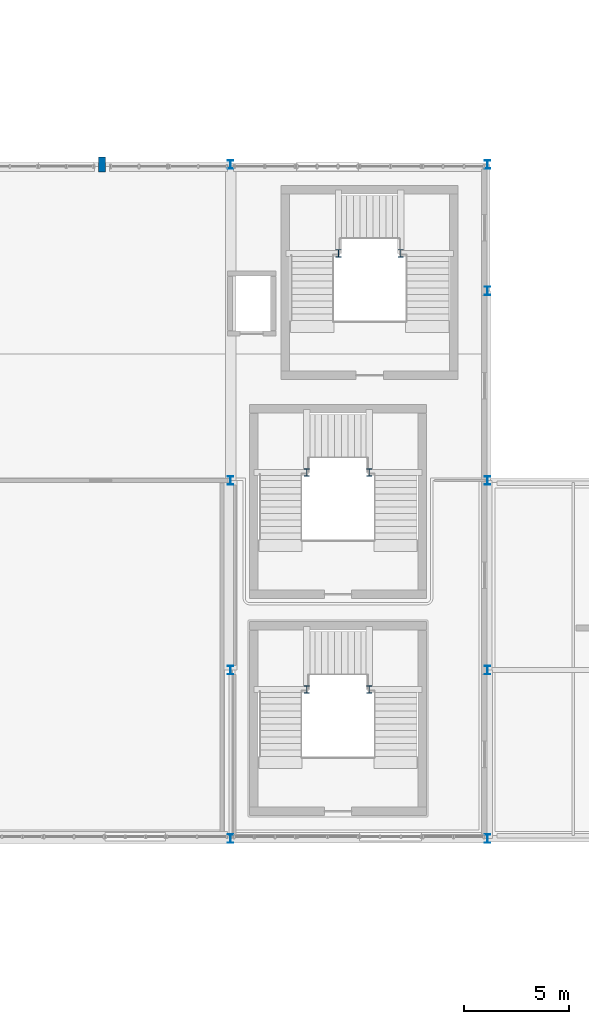
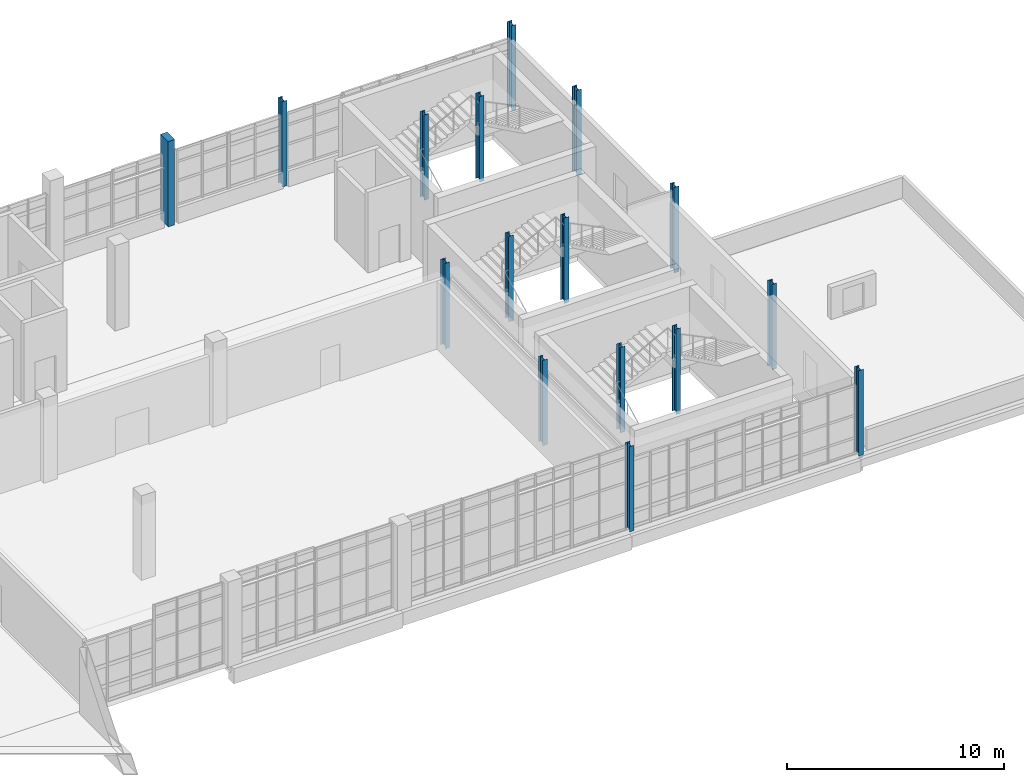
# One storey, part 12 of 127: 16 columns.
"""IFC4 building model written with IfcOpenShell, lengths in metres."""

from ifc_helpers import new_model, si_unit, derived_unit, direction, frame, origin, origin_2d, place, context, subcontext, project, spatial, rectangle, i_section, extrude, material, material_profile, profile_set, type_object, element, save


model = new_model("IFC4")

# Units and contexts
model_context = context("Model", 3, precision=1e-05, world=origin(), true_north=direction((0.0, 1.0)))
body_context = subcontext(model_context, "Body", "Model", "MODEL_VIEW")
ifc_project = project(units=[si_unit("LENGTHUNIT", "METRE"), si_unit("AREAUNIT", "SQUARE_METRE"), si_unit("VOLUMEUNIT", "CUBIC_METRE"), si_unit("PLANEANGLEUNIT", "RADIAN"), si_unit("MASSUNIT", "GRAM", prefix="KILO"), derived_unit("THERMALTRANSMITTANCEUNIT", [(si_unit("POWERUNIT", "WATT"), 1), (si_unit("LENGTHUNIT", "METRE"), -2), (si_unit("THERMODYNAMICTEMPERATUREUNIT", "KELVIN"), -1)])], contexts=[model_context])

# Site, building, storey
site_placement = place(None, origin())
site = spatial("IfcSite", under=ifc_project, at=site_placement, CompositionType="ELEMENT")
building_placement = place(site_placement, origin())
building = spatial("IfcBuilding", under=site, at=building_placement, Name="Nallur Shell Playhouse", CompositionType="ELEMENT")
storey_placement = place(building_placement, frame((0.0, 0.0, 5.39990234375)))
storey = spatial("IfcBuildingStorey", under=building, at=storey_placement, Name="L02", CompositionType="ELEMENT", Elevation=5.39990234375)

# Columns
ifc_material_1 = material(Name="Concrete M40", Category="concrete")
ifc_material_profile_1 = material_profile(ifc_material_1, rectangle(XDim=0.35009765625, YDim=0.699951171875, at=origin_2d()), Name="RC 350x700")
ifc_profile_set_1 = profile_set([ifc_material_profile_1], Name="Concrete M40")
column_type_1 = type_object("IfcColumnType", Name="CL-PIL-350x700", PredefinedType="PILASTER", material=ifc_profile_set_1)
column_placement = place(storey_placement, frame((141.5, 56.0, 0.0), z_axis=(0.0, 0.0, 1.0), x_axis=(1.0, 0.0, 0.0)))
element("IfcColumn", 1, at=column_placement, inside=storey, type_object=column_type_1, Name="Wall pilaster PIL-05 (L02)", PredefinedType="PILASTER", context=body_context, shape_type="SweptSolid", body=[
    extrude(rectangle(XDim=0.35009765625, YDim=0.699951171875, at=origin_2d()), origin(), (0.0, 0.0, 1.0), 4.800048828125),
])
ifc_material_2 = material(Name="Steel E350", Category="steel")
ifc_material_profile_2 = material_profile(ifc_material_2, i_section(OverallWidth=0.25, OverallDepth=0.35009765625, WebThickness=0.010009765625, FlangeThickness=0.01171875, FilletRadius=0.011962890625, at=origin_2d()), Name="ISHB 350")
ifc_profile_set_2 = profile_set([ifc_material_profile_2], Name="Steel E350")
column_type_2 = type_object("IfcColumnType", Name="CL-ST-ISHB350", PredefinedType="COLUMN", material=ifc_profile_set_2)
for number, where, z_axis, x_axis, name in (
    (2, (152.719970703125, 51.780029296875, 0.0), (0.0, 0.0, 1.0), (1.0, 0.0, 0.0), "Column STW-JC-5-W (L02)"),
    (3, (155.679931640625, 51.780029296875, 0.0), (0.0, 0.0, 1.0), (1.0, 0.0, 0.0), "Column STW-JC-5-E (L02)"),
    (4, (151.219970703125, 31.080078125, 0.0), (0.0, 0.0, 1.0), (1.0, 0.0, 0.0), "Column STW-JC-8-W (L02)"),
    (5, (154.179931640625, 31.080078125, 0.0), (0.0, 0.0, 1.0), (1.0, 0.0, 0.0), "Column STW-JC-8-E (L02)"),
    (6, (151.219970703125, 41.3798828125, 0.0), (0.0, 0.0, 1.0), (1.0, 0.0, 0.0), "Column STW-JC-9-W (L02)"),
    (7, (154.179931640625, 41.3798828125, 0.0), (0.0, 0.0, 1.0), (1.0, 0.0, 0.0), "Column STW-JC-9-E (L02)"),
):
    element("IfcColumn", number, at=place(storey_placement, frame(where, z_axis=z_axis, x_axis=x_axis)), inside=storey, type_object=column_type_2, Name=name, PredefinedType="COLUMN", context=body_context, shape_type="SweptSolid", body=[
        extrude(i_section(OverallWidth=0.25, OverallDepth=0.35009765625, WebThickness=0.010009765625, FlangeThickness=0.01171875, FilletRadius=0.011962890625, at=origin_2d()), origin(), (0.0, 0.0, 1.0), 4.800048828125),
    ])
ifc_material_profile_3 = material_profile(ifc_material_2, i_section(OverallWidth=0.25, OverallDepth=0.39990234375, WebThickness=0.010498046875, FlangeThickness=0.0126953125, FilletRadius=0.013916015625, at=origin_2d()), Name="ISHB 400")
ifc_profile_set_3 = profile_set([ifc_material_profile_3], Name="Steel E350")
column_type_3 = type_object("IfcColumnType", Name="CL-ST-ISHB400", PredefinedType="COLUMN", material=ifc_profile_set_3)
for number, where, z_axis, x_axis, name in (
    (8, (147.60009765625, 24.0, 0.0), (0.0, 0.0, 1.0), (1.0, 0.0, 0.0), "Column 18-C (L02)"),
    (9, (147.60009765625, 32.0, 0.0), (0.0, 0.0, 1.0), (1.0, 0.0, 0.0), "Column 18-D (L02)"),
    (10, (147.60009765625, 41.0, 0.0), (0.0, 0.0, 1.0), (1.0, 0.0, 0.0), "Column 18-E (L02)"),
    (11, (147.60009765625, 56.0, 0.0), (0.0, 0.0, 1.0), (1.0, 0.0, 0.0), "Column 18-G (L02)"),
    (12, (159.800048828125, 24.0, 0.0), (0.0, 0.0, 1.0), (1.0, 0.0, 0.0), "Column 19-C (L02)"),
    (13, (159.800048828125, 32.0, 0.0), (0.0, 0.0, 1.0), (1.0, 0.0, 0.0), "Column 19-D (L02)"),
    (14, (159.800048828125, 41.0, 0.0), (0.0, 0.0, 1.0), (1.0, 0.0, 0.0), "Column 19-E (L02)"),
    (15, (159.800048828125, 50.0, 0.0), (0.0, 0.0, 1.0), (1.0, 0.0, 0.0), "Column 19-F (L02)"),
    (16, (159.800048828125, 56.0, 0.0), (0.0, 0.0, 1.0), (1.0, 0.0, 0.0), "Column 19-G (L02)"),
):
    element("IfcColumn", number, at=place(storey_placement, frame(where, z_axis=z_axis, x_axis=x_axis)), inside=storey, type_object=column_type_3, Name=name, PredefinedType="COLUMN", context=body_context, shape_type="SweptSolid", body=[
        extrude(i_section(OverallWidth=0.25, OverallDepth=0.39990234375, WebThickness=0.010498046875, FlangeThickness=0.0126953125, FilletRadius=0.013916015625, at=origin_2d()), origin(), (0.0, 0.0, 1.0), 4.800048828125),
    ])

save(model, "model.ifc")
